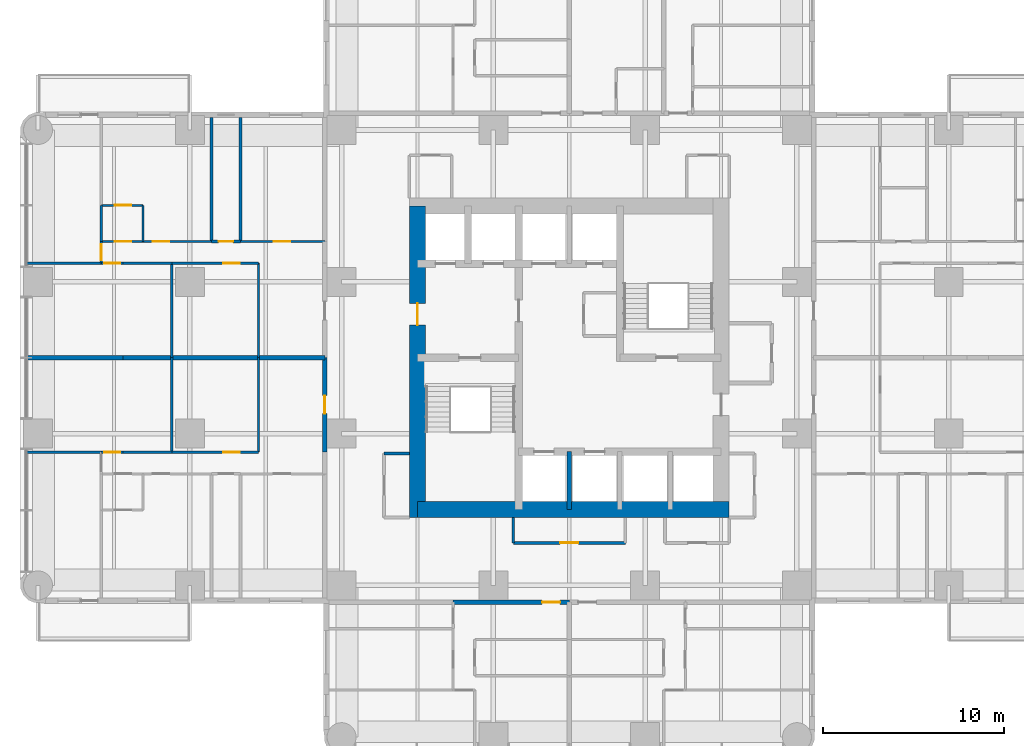
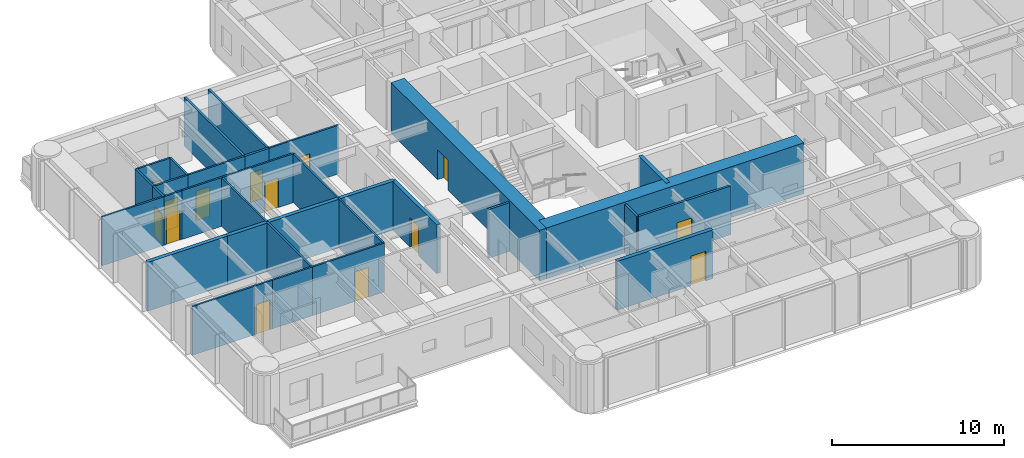
# One storey, part 7 of 15: 34 walls, 14 doors, 14 openings.
"""IFC4 building model written with IfcOpenShell, lengths in metres."""

from ifc_helpers import new_model, si_unit, direction, frame, frame_2d, origin, place, context, subcontext, project, spatial, rectangle, extrude, material, layer, layer_set, type_object, element, fill, save


model = new_model("IFC4")

# Units and contexts
model_context = context("Model", 3, precision=1e-05, world=origin(), true_north=direction((0.0, 1.0)))
body_context = subcontext(model_context, "Body", "Model", "MODEL_VIEW")
ifc_project = project(units=[si_unit("LENGTHUNIT", "METRE"), si_unit("AREAUNIT", "SQUARE_METRE"), si_unit("VOLUMEUNIT", "CUBIC_METRE"), si_unit("PLANEANGLEUNIT", "RADIAN"), si_unit("MASSUNIT", "GRAM", prefix="KILO")], contexts=[model_context])

# Site, building, storey
site_placement = place(None, origin())
site = spatial("IfcSite", under=ifc_project, at=site_placement, CompositionType="ELEMENT")
building_placement = place(site_placement, origin())
building = spatial("IfcBuilding", under=site, at=building_placement, Name="Torre Alcanfor", CompositionType="ELEMENT")
storey_placement = place(building_placement, frame((0.0, 0.0, 148.5)))
storey = spatial("IfcBuildingStorey", under=building, at=storey_placement, Name="L38", CompositionType="ELEMENT", Elevation=148.5)

# Wall, opening, door
ifc_material_1 = material(Name="Concrete block masonry, hollow blocks NMX-C-404 9 MPa", Category="masonry")
ifc_layer_1 = layer(ifc_material_1, 0.25)
ifc_layer_set_1 = layer_set([ifc_layer_1], Name="Apartment entrance wall 250 EI 60")
wall_type_1 = type_object("IfcWallType", Name="Apartment entrance wall 250 EI 60", PredefinedType="PARTITIONING", material=ifc_layer_set_1)
wall_1_placement = place(storey_placement, frame((29.39990234375, 15.875, 0.0), z_axis=(0.0, 0.0, 1.0), x_axis=(-1.0, 0.0, 0.0)))
wall_1 = element("IfcWall", 1, at=wall_1_placement, inside=storey, type_object=wall_type_1, Name="Partition L38-CORR / L38-S2-LIVING", PredefinedType="PARTITIONING", context=body_context, shape_type="SweptSolid", body=[
    extrude(rectangle(XDim=6.428955078125, YDim=0.25, at=frame_2d((3.21435546875, 0.0))), origin(), (0.0, 0.0, 1.0), 3.449951171875),
])
opening_1_placement = place(wall_1_placement, frame((0.5, 0.0, 0.0)))
opening_1 = element("IfcOpeningElement", 2, at=opening_1_placement, cuts=wall_1, Name="Opening D-A1", PredefinedType="OPENING", context=body_context, shape_type="SweptSolid", body=[
    extrude(rectangle(XDim=1.0, YDim=2.10009765625, at=frame_2d((0.5, 1.050048828125))), frame((0.0, 0.135009765625, 0.0), z_axis=(0.0, -1.0, 0.0), x_axis=(1.0, 0.0, 0.0)), (0.0, 0.0, 1.0), 0.27001953125),
])
ifc_material_2 = material(Name="Galvanised steel sheet ASTM A653", Category="steel")
door_type_1 = type_object("IfcDoorType", Name="Apartment entrance door FD60 1000x2100", OperationType="SINGLE_SWING_LEFT", PredefinedType="DOOR", material=ifc_material_2)
door_1_placement = place(opening_1_placement, origin())
door_1 = element("IfcDoor", 3, at=door_1_placement, inside=storey, type_object=door_type_1, Name="Apartment entrance L38-S2", OperationType="SINGLE_SWING_LEFT", OverallHeight=2.10009765625, OverallWidth=1.0, PredefinedType="DOOR", context=body_context, shape_type="SweptSolid", body=[
    extrude(rectangle(XDim=1.0, YDim=2.10009765625, at=frame_2d((0.5, 1.050048828125))), frame((0.0, 0.02490234375, 0.0), z_axis=(0.0, -1.0, 0.0), x_axis=(1.0, 0.0, 0.0)), (0.0, 0.0, 1.0), 0.050048828125),
])
fill(opening_1, door_1)

wall_2_placement = place(storey_placement, frame((15.875, 24.1708984375, 0.0), z_axis=(0.0, 0.0, 1.0), x_axis=(0.0, 1.0, 0.0)))
wall_2 = element("IfcWall", 4, at=wall_2_placement, inside=storey, type_object=wall_type_1, Name="Partition L38-CORR / L38-W1-ZAG", PredefinedType="PARTITIONING", context=body_context, shape_type="SweptSolid", body=[
    extrude(rectangle(XDim=5.22900390625, YDim=0.25, at=frame_2d((2.614501953125, 0.0))), origin(), (0.0, 0.0, 1.0), 3.449951171875),
])
opening_2_placement = place(wall_2_placement, frame((2.12890625, 0.0, 0.0)))
opening_2 = element("IfcOpeningElement", 5, at=opening_2_placement, cuts=wall_2, Name="Opening D-A1", PredefinedType="OPENING", context=body_context, shape_type="SweptSolid", body=[
    extrude(rectangle(XDim=1.0, YDim=2.10009765625, at=frame_2d((0.5, 1.050048828125))), frame((0.0, 0.135009765625, 0.0), z_axis=(0.0, -1.0, 0.0), x_axis=(1.0, 0.0, 0.0)), (0.0, 0.0, 1.0), 0.27001953125),
])
door_2_placement = place(opening_2_placement, origin())
door_2 = element("IfcDoor", 6, at=door_2_placement, inside=storey, type_object=door_type_1, Name="Apartment entrance L38-W1", OperationType="SINGLE_SWING_RIGHT", OverallHeight=2.10009765625, OverallWidth=1.0, PredefinedType="DOOR", context=body_context, shape_type="SweptSolid", body=[
    extrude(rectangle(XDim=1.0, YDim=2.10009765625, at=frame_2d((0.5, 1.050048828125))), frame((0.0, 0.02490234375, 0.0), z_axis=(0.0, -1.0, 0.0), x_axis=(1.0, 0.0, 0.0)), (0.0, 0.0, 1.0), 0.050048828125),
])
fill(opening_2, door_2)

# Walls
ifc_material_3 = material(Name="Gypsum board on steel studs", Category="steel")
ifc_layer_2 = layer(ifc_material_3, 0.1201171875)
ifc_layer_set_2 = layer_set([ifc_layer_2], Name="Apartment partition 120")
wall_type_2 = type_object("IfcWallType", Name="Apartment partition 120", PredefinedType="PARTITIONING", material=ifc_layer_set_2)
for number, where, z_axis, x_axis, name in (
    (7, (12.199951171875, 29.39990234375, 0.0), (0.0, 0.0, 1.0), (0.0, -1.0, 0.0), "Partition L38-W1-ZAG / L38-W1-FAMILY"),
    (8, (7.39990234375, 29.39990234375, 0.0), (0.0, 0.0, 1.0), (0.0, -1.0, 0.0), "Partition L38-W1-FAMILY / L38-W1-KITCHEN"),
):
    element("IfcWall", number, at=place(storey_placement, frame(where, z_axis=z_axis, x_axis=x_axis)), inside=storey, type_object=wall_type_2, Name=name, PredefinedType="PARTITIONING", context=body_context, shape_type="SweptSolid", body=[
        extrude(rectangle(XDim=5.22900390625, YDim=0.1201171875, at=frame_2d((2.614501953125, 0.0))), origin(), (0.0, 0.0, 1.0), 3.449951171875),
    ])

# Wall, opening, door
wall_3_placement = place(storey_placement, frame((7.39990234375, 24.1708984375, 0.0), z_axis=(0.0, 0.0, 1.0), x_axis=(1.0, 0.0, 0.0)))
wall_3 = element("IfcWall", 9, at=wall_3_placement, inside=storey, type_object=wall_type_2, Name="Partition L38-W1-FAMILY / L38-W1-HALL", PredefinedType="PARTITIONING", context=body_context, shape_type="SweptSolid", body=[
    extrude(rectangle(XDim=4.800048828125, YDim=0.1201171875, at=frame_2d((2.39990234375, 0.0))), origin(), (0.0, 0.0, 1.0), 3.449951171875),
])
opening_3_placement = place(wall_3_placement, frame((2.85009765625, 0.0, 0.0)))
opening_3 = element("IfcOpeningElement", 10, at=opening_3_placement, cuts=wall_3, Name="Opening D-R1", PredefinedType="OPENING", context=body_context, shape_type="SweptSolid", body=[
    extrude(rectangle(XDim=0.89990234375, YDim=2.10009765625, at=frame_2d((0.449951171875, 1.050048828125))), frame((0.0, 0.070068359375, 0.0), z_axis=(0.0, -1.0, 0.0), x_axis=(1.0, 0.0, 0.0)), (0.0, 0.0, 1.0), 0.14013671875),
])
ifc_material_4 = material(Name="Timber", Category="wood")
door_type_2 = type_object("IfcDoorType", Name="Internal door 900x2100", OperationType="SINGLE_SWING_LEFT", PredefinedType="DOOR", material=ifc_material_4)
door_3_placement = place(opening_3_placement, origin())
door_3 = element("IfcDoor", 11, at=door_3_placement, inside=storey, type_object=door_type_2, Name="Door L38-W1 family", OperationType="SINGLE_SWING_RIGHT", OverallHeight=2.10009765625, OverallWidth=0.89990234375, PredefinedType="DOOR", context=body_context, shape_type="SweptSolid", body=[
    extrude(rectangle(XDim=0.89990234375, YDim=2.10009765625, at=frame_2d((0.449951171875, 1.050048828125))), frame((0.0, 0.02490234375, 0.0), z_axis=(0.0, -1.0, 0.0), x_axis=(1.0, 0.0, 0.0)), (0.0, 0.0, 1.0), 0.050048828125),
])
fill(opening_3, door_3)

# Wall
wall_4_placement = place(storey_placement, frame((4.699951171875, 24.1708984375, 0.0), z_axis=(0.0, 0.0, 1.0), x_axis=(1.0, 0.0, 0.0)))
element("IfcWall", 12, at=wall_4_placement, inside=storey, type_object=wall_type_2, Name="Partition L38-W1-KITCHEN / L38-W1-HALL", PredefinedType="PARTITIONING", context=body_context, shape_type="SweptSolid", body=[
    extrude(rectangle(XDim=2.699951171875, YDim=0.1201171875, at=frame_2d((1.35009765625, 0.0))), origin(), (0.0, 0.0, 1.0), 3.449951171875),
])

# Wall, opening, door
wall_5_placement = place(storey_placement, frame((3.5, 24.1708984375, 0.0), z_axis=(0.0, 0.0, 1.0), x_axis=(1.0, 0.0, 0.0)))
wall_5 = element("IfcWall", 13, at=wall_5_placement, inside=storey, type_object=wall_type_2, Name="Partition L38-W1-LIVING / L38-W1-HALL", PredefinedType="PARTITIONING", context=body_context, shape_type="SweptSolid", body=[
    extrude(rectangle(XDim=1.199951171875, YDim=0.1201171875, at=frame_2d((0.60009765625, 0.0))), origin(), (0.0, 0.0, 1.0), 3.449951171875),
])
opening_4_placement = place(wall_5_placement, frame((0.14990234375, 0.0, 0.0)))
opening_4 = element("IfcOpeningElement", 14, at=opening_4_placement, cuts=wall_5, Name="Opening D-R1", PredefinedType="OPENING", context=body_context, shape_type="SweptSolid", body=[
    extrude(rectangle(XDim=0.89990234375, YDim=2.10009765625, at=frame_2d((0.449951171875, 1.050048828125))), frame((0.0, 0.070068359375, 0.0), z_axis=(0.0, -1.0, 0.0), x_axis=(1.0, 0.0, 0.0)), (0.0, 0.0, 1.0), 0.14013671875),
])
door_4_placement = place(opening_4_placement, origin())
door_4 = element("IfcDoor", 15, at=door_4_placement, inside=storey, type_object=door_type_2, Name="Door L38-W1 living", OperationType="SINGLE_SWING_RIGHT", OverallHeight=2.10009765625, OverallWidth=0.89990234375, PredefinedType="DOOR", context=body_context, shape_type="SweptSolid", body=[
    extrude(rectangle(XDim=0.89990234375, YDim=2.10009765625, at=frame_2d((0.449951171875, 1.050048828125))), frame((0.0, 0.02490234375, 0.0), z_axis=(0.0, -1.0, 0.0), x_axis=(1.0, 0.0, 0.0)), (0.0, 0.0, 1.0), 0.050048828125),
])
fill(opening_4, door_4)

# Walls
wall_6_placement = place(storey_placement, frame((-0.64990234375, 24.1708984375, 0.0), z_axis=(0.0, 0.0, 1.0), x_axis=(1.0, 0.0, 0.0)))
element("IfcWall", 16, at=wall_6_placement, inside=storey, type_object=wall_type_2, Name="Partition L38-W1-LIVING / L38-W1-WGARD", PredefinedType="PARTITIONING", context=body_context, shape_type="SweptSolid", body=[
    extrude(rectangle(XDim=4.14990234375, YDim=0.1201171875, at=frame_2d((2.074951171875, 0.0))), origin(), (0.0, 0.0, 1.0), 3.449951171875),
])
for number, where, z_axis, x_axis, name in (
    (17, (12.199951171875, 29.39990234375, 0.0), (0.0, 0.0, 1.0), (0.0, 1.0, 0.0), "Partition L38-W2-ZAG / L38-W2-FAMILY"),
    (18, (7.39990234375, 29.39990234375, 0.0), (0.0, 0.0, 1.0), (0.0, 1.0, 0.0), "Partition L38-W2-FAMILY / L38-W2-KITCHEN"),
):
    element("IfcWall", number, at=place(storey_placement, frame(where, z_axis=z_axis, x_axis=x_axis)), inside=storey, type_object=wall_type_2, Name=name, PredefinedType="PARTITIONING", context=body_context, shape_type="SweptSolid", body=[
        extrude(rectangle(XDim=5.22900390625, YDim=0.1201171875, at=frame_2d((2.614501953125, 0.0))), origin(), (0.0, 0.0, 1.0), 3.449951171875),
    ])

# Wall, opening, door
wall_7_placement = place(storey_placement, frame((7.39990234375, 34.62890625, 0.0), z_axis=(0.0, 0.0, 1.0), x_axis=(1.0, 0.0, 0.0)))
wall_7 = element("IfcWall", 19, at=wall_7_placement, inside=storey, type_object=wall_type_2, Name="Partition L38-W2-FAMILY / L38-W2-HALL", PredefinedType="PARTITIONING", context=body_context, shape_type="SweptSolid", body=[
    extrude(rectangle(XDim=4.800048828125, YDim=0.1201171875, at=frame_2d((2.39990234375, 0.0))), origin(), (0.0, 0.0, 1.0), 3.449951171875),
])
opening_5_placement = place(wall_7_placement, frame((2.85009765625, 0.0, 0.0)))
opening_5 = element("IfcOpeningElement", 20, at=opening_5_placement, cuts=wall_7, Name="Opening D-R1", PredefinedType="OPENING", context=body_context, shape_type="SweptSolid", body=[
    extrude(rectangle(XDim=0.89990234375, YDim=2.10009765625, at=frame_2d((0.449951171875, 1.050048828125))), frame((0.0, 0.070068359375, 0.0), z_axis=(0.0, -1.0, 0.0), x_axis=(1.0, 0.0, 0.0)), (0.0, 0.0, 1.0), 0.14013671875),
])
door_5_placement = place(opening_5_placement, frame((0.89990234375, 0.0, 0.0), z_axis=(0.0, 0.0, 1.0), x_axis=(-1.0, 0.0, 0.0)))
door_5 = element("IfcDoor", 21, at=door_5_placement, inside=storey, type_object=door_type_2, Name="Door L38-W2 family", OperationType="SINGLE_SWING_LEFT", OverallHeight=2.10009765625, OverallWidth=0.89990234375, PredefinedType="DOOR", context=body_context, shape_type="SweptSolid", body=[
    extrude(rectangle(XDim=0.89990234375, YDim=2.10009765625, at=frame_2d((0.449951171875, 1.050048828125))), frame((0.0, 0.025146484375, 0.0), z_axis=(0.0, -1.0, 0.0), x_axis=(1.0, 0.0, 0.0)), (0.0, 0.0, 1.0), 0.050048828125),
])
fill(opening_5, door_5)

# Wall
wall_8_placement = place(storey_placement, frame((4.699951171875, 34.62890625, 0.0), z_axis=(0.0, 0.0, 1.0), x_axis=(1.0, 0.0, 0.0)))
element("IfcWall", 22, at=wall_8_placement, inside=storey, type_object=wall_type_2, Name="Partition L38-W2-KITCHEN / L38-W2-HALL", PredefinedType="PARTITIONING", context=body_context, shape_type="SweptSolid", body=[
    extrude(rectangle(XDim=2.699951171875, YDim=0.1201171875, at=frame_2d((1.35009765625, 0.0))), origin(), (0.0, 0.0, 1.0), 3.449951171875),
])

# Wall, opening, door
wall_9_placement = place(storey_placement, frame((3.5, 34.62890625, 0.0), z_axis=(0.0, 0.0, 1.0), x_axis=(1.0, 0.0, 0.0)))
wall_9 = element("IfcWall", 23, at=wall_9_placement, inside=storey, type_object=wall_type_2, Name="Partition L38-W2-LIVING / L38-W2-HALL", PredefinedType="PARTITIONING", context=body_context, shape_type="SweptSolid", body=[
    extrude(rectangle(XDim=1.199951171875, YDim=0.1201171875, at=frame_2d((0.60009765625, 0.0))), origin(), (0.0, 0.0, 1.0), 3.449951171875),
])
opening_6_placement = place(wall_9_placement, frame((0.14990234375, 0.0, 0.0)))
opening_6 = element("IfcOpeningElement", 24, at=opening_6_placement, cuts=wall_9, Name="Opening D-R1", PredefinedType="OPENING", context=body_context, shape_type="SweptSolid", body=[
    extrude(rectangle(XDim=0.89990234375, YDim=2.10009765625, at=frame_2d((0.449951171875, 1.050048828125))), frame((0.0, 0.070068359375, 0.0), z_axis=(0.0, -1.0, 0.0), x_axis=(1.0, 0.0, 0.0)), (0.0, 0.0, 1.0), 0.14013671875),
])
door_6_placement = place(opening_6_placement, frame((0.89990234375, 0.0, 0.0), z_axis=(0.0, 0.0, 1.0), x_axis=(-1.0, 0.0, 0.0)))
door_6 = element("IfcDoor", 25, at=door_6_placement, inside=storey, type_object=door_type_2, Name="Door L38-W2 living", OperationType="SINGLE_SWING_LEFT", OverallHeight=2.10009765625, OverallWidth=0.89990234375, PredefinedType="DOOR", context=body_context, shape_type="SweptSolid", body=[
    extrude(rectangle(XDim=0.89990234375, YDim=2.10009765625, at=frame_2d((0.449951171875, 1.050048828125))), frame((0.0, 0.025146484375, 0.0), z_axis=(0.0, -1.0, 0.0), x_axis=(1.0, 0.0, 0.0)), (0.0, 0.0, 1.0), 0.050048828125),
])
fill(opening_6, door_6)

# Wall
wall_10_placement = place(storey_placement, frame((-0.64990234375, 34.62890625, 0.0), z_axis=(0.0, 0.0, 1.0), x_axis=(1.0, 0.0, 0.0)))
element("IfcWall", 26, at=wall_10_placement, inside=storey, type_object=wall_type_2, Name="Partition L38-W2-LIVING / L38-W2-WGARD", PredefinedType="PARTITIONING", context=body_context, shape_type="SweptSolid", body=[
    extrude(rectangle(XDim=4.14990234375, YDim=0.1201171875, at=frame_2d((2.074951171875, 0.0))), origin(), (0.0, 0.0, 1.0), 3.449951171875),
])

# Wall, opening, door
wall_11_placement = place(storey_placement, frame((11.199951171875, 35.8291015625, 0.0), z_axis=(0.0, 0.0, 1.0), x_axis=(1.0, 0.0, 0.0)))
wall_11 = element("IfcWall", 27, at=wall_11_placement, inside=storey, type_object=wall_type_2, Name="Partition L38-W2-HALL / L38-W2-BED2", PredefinedType="PARTITIONING", context=body_context, shape_type="SweptSolid", body=[
    extrude(rectangle(XDim=4.675048828125, YDim=0.1201171875, at=frame_2d((2.33740234375, 0.0))), origin(), (0.0, 0.0, 1.0), 3.449951171875),
])
opening_7_placement = place(wall_11_placement, frame((1.85009765625, 0.0, 0.0)))
opening_7 = element("IfcOpeningElement", 28, at=opening_7_placement, cuts=wall_11, Name="Opening D-R1", PredefinedType="OPENING", context=body_context, shape_type="SweptSolid", body=[
    extrude(rectangle(XDim=0.89990234375, YDim=2.10009765625, at=frame_2d((0.449951171875, 1.050048828125))), frame((0.0, 0.070068359375, 0.0), z_axis=(0.0, -1.0, 0.0), x_axis=(1.0, 0.0, 0.0)), (0.0, 0.0, 1.0), 0.14013671875),
])
door_7_placement = place(opening_7_placement, origin())
door_7 = element("IfcDoor", 29, at=door_7_placement, inside=storey, type_object=door_type_2, Name="Door L38-W2 bed2", OperationType="SINGLE_SWING_LEFT", OverallHeight=2.10009765625, OverallWidth=0.89990234375, PredefinedType="DOOR", context=body_context, shape_type="SweptSolid", body=[
    extrude(rectangle(XDim=0.89990234375, YDim=2.10009765625, at=frame_2d((0.449951171875, 1.050048828125))), frame((0.0, 0.02490234375, 0.0), z_axis=(0.0, -1.0, 0.0), x_axis=(1.0, 0.0, 0.0)), (0.0, 0.0, 1.0), 0.050048828125),
])
fill(opening_7, door_7)

wall_12_placement = place(storey_placement, frame((5.800048828125, 35.8291015625, 0.0), z_axis=(0.0, 0.0, 1.0), x_axis=(1.0, 0.0, 0.0)))
wall_12 = element("IfcWall", 30, at=wall_12_placement, inside=storey, type_object=wall_type_2, Name="Partition L38-W2-HALL / L38-W2-MASTER", PredefinedType="PARTITIONING", context=body_context, shape_type="SweptSolid", body=[
    extrude(rectangle(XDim=3.800048828125, YDim=0.1201171875, at=frame_2d((1.89990234375, 0.0))), origin(), (0.0, 0.0, 1.0), 3.449951171875),
])
opening_8_placement = place(wall_12_placement, frame((0.550048828125, 0.0, 0.0)))
opening_8 = element("IfcOpeningElement", 31, at=opening_8_placement, cuts=wall_12, Name="Opening D-R1", PredefinedType="OPENING", context=body_context, shape_type="SweptSolid", body=[
    extrude(rectangle(XDim=0.89990234375, YDim=2.10009765625, at=frame_2d((0.449951171875, 1.050048828125))), frame((0.0, 0.070068359375, 0.0), z_axis=(0.0, -1.0, 0.0), x_axis=(1.0, 0.0, 0.0)), (0.0, 0.0, 1.0), 0.14013671875),
])
door_8_placement = place(opening_8_placement, origin())
door_8 = element("IfcDoor", 32, at=door_8_placement, inside=storey, type_object=door_type_2, Name="Door L38-W2 master", OperationType="SINGLE_SWING_LEFT", OverallHeight=2.10009765625, OverallWidth=0.89990234375, PredefinedType="DOOR", context=body_context, shape_type="SweptSolid", body=[
    extrude(rectangle(XDim=0.89990234375, YDim=2.10009765625, at=frame_2d((0.449951171875, 1.050048828125))), frame((0.0, 0.02490234375, 0.0), z_axis=(0.0, -1.0, 0.0), x_axis=(1.0, 0.0, 0.0)), (0.0, 0.0, 1.0), 0.050048828125),
])
fill(opening_8, door_8)

wall_13_placement = place(storey_placement, frame((3.5, 35.8291015625, 0.0), z_axis=(0.0, 0.0, 1.0), x_axis=(1.0, 0.0, 0.0)))
wall_13 = element("IfcWall", 33, at=wall_13_placement, inside=storey, type_object=wall_type_2, Name="Partition L38-W2-HALL / L38-W2-VEST", PredefinedType="PARTITIONING", context=body_context, shape_type="SweptSolid", body=[
    extrude(rectangle(XDim=2.300048828125, YDim=0.1201171875, at=frame_2d((1.14990234375, 0.0))), origin(), (0.0, 0.0, 1.0), 3.449951171875),
])
opening_9_placement = place(wall_13_placement, frame((0.75, 0.0, 0.0)))
opening_9 = element("IfcOpeningElement", 34, at=opening_9_placement, cuts=wall_13, Name="Opening D-R1", PredefinedType="OPENING", context=body_context, shape_type="SweptSolid", body=[
    extrude(rectangle(XDim=0.89990234375, YDim=2.10009765625, at=frame_2d((0.449951171875, 1.050048828125))), frame((0.0, 0.070068359375, 0.0), z_axis=(0.0, -1.0, 0.0), x_axis=(1.0, 0.0, 0.0)), (0.0, 0.0, 1.0), 0.14013671875),
])
door_9_placement = place(opening_9_placement, origin())
door_9 = element("IfcDoor", 35, at=door_9_placement, inside=storey, type_object=door_type_2, Name="Door L38-W2 vest", OperationType="SINGLE_SWING_RIGHT", OverallHeight=2.10009765625, OverallWidth=0.89990234375, PredefinedType="DOOR", context=body_context, shape_type="SweptSolid", body=[
    extrude(rectangle(XDim=0.89990234375, YDim=2.10009765625, at=frame_2d((0.449951171875, 1.050048828125))), frame((0.0, 0.02490234375, 0.0), z_axis=(0.0, -1.0, 0.0), x_axis=(1.0, 0.0, 0.0)), (0.0, 0.0, 1.0), 0.050048828125),
])
fill(opening_9, door_9)

wall_14_placement = place(storey_placement, frame((3.5, 34.62890625, 0.0), z_axis=(0.0, 0.0, 1.0), x_axis=(0.0, 1.0, 0.0)))
wall_14 = element("IfcWall", 36, at=wall_14_placement, inside=storey, type_object=wall_type_2, Name="Partition L38-W2-HALL / L38-W2-WGARD", PredefinedType="PARTITIONING", context=body_context, shape_type="SweptSolid", body=[
    extrude(rectangle(XDim=1.2001953125, YDim=0.1201171875, at=frame_2d((0.60009765625, 0.0))), origin(), (0.0, 0.0, 1.0), 3.449951171875),
])
opening_10_placement = place(wall_14_placement, frame((0.15087890625, 0.0, 0.0)))
opening_10 = element("IfcOpeningElement", 37, at=opening_10_placement, cuts=wall_14, Name="Opening D-R1", PredefinedType="OPENING", context=body_context, shape_type="SweptSolid", body=[
    extrude(rectangle(XDim=0.89990234375, YDim=2.10009765625, at=frame_2d((0.449951171875, 1.050048828125))), frame((0.0, 0.070068359375, 0.0), z_axis=(0.0, -1.0, 0.0), x_axis=(1.0, 0.0, 0.0)), (0.0, 0.0, 1.0), 0.14013671875),
])
door_10_placement = place(opening_10_placement, origin())
door_10 = element("IfcDoor", 38, at=door_10_placement, inside=storey, type_object=door_type_2, Name="Door L38-W2 wgard", OperationType="SINGLE_SWING_LEFT", OverallHeight=2.10009765625, OverallWidth=0.89990234375, PredefinedType="DOOR", context=body_context, shape_type="SweptSolid", body=[
    extrude(rectangle(XDim=0.89990234375, YDim=2.10009765625, at=frame_2d((0.449951171875, 1.050048828125))), frame((0.0, 0.02490234375, 0.0), z_axis=(0.0, -1.0, 0.0), x_axis=(1.0, 0.0, 0.0)), (0.0, 0.0, 1.0), 0.050048828125),
])
fill(opening_10, door_10)

# Wall
wall_15_placement = place(storey_placement, frame((5.800048828125, 35.8291015625, 0.0), z_axis=(0.0, 0.0, 1.0), x_axis=(0.0, 1.0, 0.0)))
element("IfcWall", 39, at=wall_15_placement, inside=storey, type_object=wall_type_2, Name="Partition L38-W2-MASTER / L38-W2-VEST", PredefinedType="PARTITIONING", context=body_context, shape_type="SweptSolid", body=[
    extrude(rectangle(XDim=2.0, YDim=0.1201171875, at=frame_2d((1.0, 0.0))), origin(), (0.0, 0.0, 1.0), 3.449951171875),
])

# Wall, opening, door
wall_16_placement = place(storey_placement, frame((5.800048828125, 37.8291015625, 0.0), z_axis=(0.0, 0.0, 1.0), x_axis=(-1.0, 0.0, 0.0)))
wall_16 = element("IfcWall", 40, at=wall_16_placement, inside=storey, type_object=wall_type_2, Name="Partition L38-W2-MASTER / L38-W2-VEST", PredefinedType="PARTITIONING", context=body_context, shape_type="SweptSolid", body=[
    extrude(rectangle(XDim=2.300048828125, YDim=0.1201171875, at=frame_2d((1.14990234375, 0.0))), origin(), (0.0, 0.0, 1.0), 3.449951171875),
])
opening_11_placement = place(wall_16_placement, frame((0.64990234375, 0.0, 0.0)))
opening_11 = element("IfcOpeningElement", 41, at=opening_11_placement, cuts=wall_16, Name="Opening D-R1", PredefinedType="OPENING", context=body_context, shape_type="SweptSolid", body=[
    extrude(rectangle(XDim=0.89990234375, YDim=2.10009765625, at=frame_2d((0.449951171875, 1.050048828125))), frame((0.0, 0.070068359375, 0.0), z_axis=(0.0, -1.0, 0.0), x_axis=(1.0, 0.0, 0.0)), (0.0, 0.0, 1.0), 0.14013671875),
])
door_11_placement = place(opening_11_placement, origin())
door_11 = element("IfcDoor", 42, at=door_11_placement, inside=storey, type_object=door_type_2, Name="Door L38-W2 master", OperationType="SINGLE_SWING_LEFT", OverallHeight=2.10009765625, OverallWidth=0.89990234375, PredefinedType="DOOR", context=body_context, shape_type="SweptSolid", body=[
    extrude(rectangle(XDim=0.89990234375, YDim=2.10009765625, at=frame_2d((0.449951171875, 1.050048828125))), frame((0.0, 0.02490234375, 0.0), z_axis=(0.0, -1.0, 0.0), x_axis=(1.0, 0.0, 0.0)), (0.0, 0.0, 1.0), 0.050048828125),
])
fill(opening_11, door_11)

# Walls
wall_17_placement = place(storey_placement, frame((3.5, 35.8291015625, 0.0), z_axis=(0.0, 0.0, 1.0), x_axis=(0.0, 1.0, 0.0)))
element("IfcWall", 43, at=wall_17_placement, inside=storey, type_object=wall_type_2, Name="Partition L38-W2-VEST / L38-W2-WGARD", PredefinedType="PARTITIONING", context=body_context, shape_type="SweptSolid", body=[
    extrude(rectangle(XDim=2.0, YDim=0.1201171875, at=frame_2d((1.0, 0.0))), origin(), (0.0, 0.0, 1.0), 3.449951171875),
])
ifc_material_5 = material(Name="Concrete f'c 70 MPa", Category="concrete")
ifc_layer_3 = layer(ifc_material_5, 0.25)
ifc_layer_set_3 = layer_set([ifc_layer_3], Name="Core shaft wall 250 f'c70")
wall_type_3 = type_object("IfcWallType", Name="Core shaft wall 250 f'c70", PredefinedType="SHEAR", material=ifc_layer_set_3)
wall_18_placement = place(storey_placement, frame((29.39990234375, 21.0, 0.0), z_axis=(0.0, 0.0, 1.0), x_axis=(0.0, 1.0, 0.0)))
element("IfcWall", 44, at=wall_18_placement, inside=storey, type_object=wall_type_3, Name="Core wall X294S L38", PredefinedType="SHEAR", context=body_context, shape_type="SweptSolid", body=[
    extrude(rectangle(XDim=3.199951171875, YDim=0.25, at=frame_2d((1.60009765625, 0.0))), origin(), (0.0, 0.0, 1.0), 3.60009765625),
])
ifc_material_6 = material(Name="Concrete f'c 70 MPa", Category="concrete")
ifc_layer_4 = layer(ifc_material_6, 0.89990234375)
ifc_layer_set_4 = layer_set([ifc_layer_4], Name="Core wall 900 f'c70")
wall_type_4 = type_object("IfcWallType", Name="Core wall 900 f'c70", PredefinedType="SHEAR", material=ifc_layer_set_4)
wall_19_placement = place(storey_placement, frame((21.0, 21.0, 0.0), z_axis=(0.0, 0.0, 1.0), x_axis=(1.0, 0.0, 0.0)))
element("IfcWall", 45, at=wall_19_placement, inside=storey, type_object=wall_type_4, Name="Core wall OUT-S L38", PredefinedType="SHEAR", context=body_context, shape_type="SweptSolid", body=[
    extrude(rectangle(XDim=17.25, YDim=0.89990234375, at=frame_2d((8.625, 0.0))), origin(), (0.0, 0.0, 1.0), 3.60009765625),
])

# Wall, opening, door
wall_20_placement = place(storey_placement, frame((21.0, 37.800048828125, 0.0), z_axis=(0.0, 0.0, 1.0), x_axis=(0.0, -1.0, 0.0)))
wall_20 = element("IfcWall", 46, at=wall_20_placement, inside=storey, type_object=wall_type_4, Name="Core wall OUT-W L38", PredefinedType="SHEAR", context=body_context, shape_type="SweptSolid", body=[
    extrude(rectangle(XDim=17.25, YDim=0.89990234375, at=frame_2d((8.625, 0.0))), origin(), (0.0, 0.0, 1.0), 3.60009765625),
])
opening_12_placement = place(wall_20_placement, frame((5.39990234375, 0.0, 0.0)))
opening_12 = element("IfcOpeningElement", 47, at=opening_12_placement, cuts=wall_20, Name="Opening D-L1", PredefinedType="OPENING", context=body_context, shape_type="SweptSolid", body=[
    extrude(rectangle(XDim=1.199951171875, YDim=2.10009765625, at=frame_2d((0.60009765625, 1.050048828125))), frame((0.0, 0.4599609375, 0.0), z_axis=(0.0, -1.0, 0.0), x_axis=(1.0, 0.0, 0.0)), (0.0, 0.0, 1.0), 0.919921875),
])
ifc_material_7 = material(Name="Galvanised steel sheet ASTM A653", Category="steel")
door_type_3 = type_object("IfcDoorType", Name="Lobby door FD120 1200x2100", OperationType="SINGLE_SWING_LEFT", PredefinedType="DOOR", material=ifc_material_7)
door_12_placement = place(opening_12_placement, origin())
door_12 = element("IfcDoor", 48, at=door_12_placement, inside=storey, type_object=door_type_3, Name="Firefighting lobby door L38", OperationType="SINGLE_SWING_LEFT", OverallHeight=2.10009765625, OverallWidth=1.199951171875, PredefinedType="DOOR", context=body_context, shape_type="SweptSolid", body=[
    extrude(rectangle(XDim=1.199951171875, YDim=2.10009765625, at=frame_2d((0.60009765625, 1.050048828125))), frame((0.0, 0.02490234375, 0.0), z_axis=(0.0, -1.0, 0.0), x_axis=(1.0, 0.0, 0.0)), (0.0, 0.0, 1.0), 0.050048828125),
])
fill(opening_12, door_12)

# Walls
ifc_material_8 = material(Name="Concrete block masonry, hollow blocks NMX-C-404 9 MPa", Category="masonry")
ifc_layer_5 = layer(ifc_material_8, 0.25)
ifc_layer_set_5 = layer_set([ifc_layer_5], Name="Party wall 250 EI 60")
wall_type_5 = type_object("IfcWallType", Name="Party wall 250 EI 60", PredefinedType="PARTITIONING", material=ifc_layer_set_5)
wall_21_placement = place(storey_placement, frame((15.875, 29.39990234375, 0.0), z_axis=(0.0, 0.0, 1.0), x_axis=(-1.0, 0.0, 0.0)))
element("IfcWall", 49, at=wall_21_placement, inside=storey, type_object=wall_type_5, Name="Partition L38-W1-ZAG / L38-W2-ZAG", PredefinedType="PARTITIONING", context=body_context, shape_type="SweptSolid", body=[
    extrude(rectangle(XDim=3.675048828125, YDim=0.25, at=frame_2d((1.83740234375, 0.0))), origin(), (0.0, 0.0, 1.0), 3.449951171875),
])
wall_22_placement = place(storey_placement, frame((12.199951171875, 29.39990234375, 0.0), z_axis=(0.0, 0.0, 1.0), x_axis=(-1.0, 0.0, 0.0)))
element("IfcWall", 50, at=wall_22_placement, inside=storey, type_object=wall_type_5, Name="Partition L38-W1-FAMILY / L38-W2-FAMILY", PredefinedType="PARTITIONING", context=body_context, shape_type="SweptSolid", body=[
    extrude(rectangle(XDim=4.800048828125, YDim=0.25, at=frame_2d((2.39990234375, 0.0))), origin(), (0.0, 0.0, 1.0), 3.449951171875),
])
wall_23_placement = place(storey_placement, frame((7.39990234375, 29.39990234375, 0.0), z_axis=(0.0, 0.0, 1.0), x_axis=(-1.0, 0.0, 0.0)))
element("IfcWall", 51, at=wall_23_placement, inside=storey, type_object=wall_type_5, Name="Partition L38-W1-KITCHEN / L38-W2-KITCHEN", PredefinedType="PARTITIONING", context=body_context, shape_type="SweptSolid", body=[
    extrude(rectangle(XDim=2.699951171875, YDim=0.25, at=frame_2d((1.35009765625, 0.0))), origin(), (0.0, 0.0, 1.0), 3.449951171875),
])
wall_24_placement = place(storey_placement, frame((4.699951171875, 29.39990234375, 0.0), z_axis=(0.0, 0.0, 1.0), x_axis=(-1.0, 0.0, 0.0)))
element("IfcWall", 52, at=wall_24_placement, inside=storey, type_object=wall_type_5, Name="Partition L38-W1-LIVING / L38-W2-LIVING", PredefinedType="PARTITIONING", context=body_context, shape_type="SweptSolid", body=[
    extrude(rectangle(XDim=5.349853515625, YDim=0.25, at=frame_2d((2.6748046875, 0.0))), origin(), (0.0, 0.0, 1.0), 3.449951171875),
])
ifc_material_9 = material(Name="Concrete block masonry, hollow blocks NMX-C-404 9 MPa", Category="masonry")
ifc_layer_6 = layer(ifc_material_9, 0.14990234375)
ifc_layer_set_6 = layer_set([ifc_layer_6], Name="Residents' room partition 150")
wall_type_6 = type_object("IfcWallType", Name="Residents' room partition 150", PredefinedType="PARTITIONING", material=ifc_layer_set_6)
wall_25_placement = place(storey_placement, frame((26.300048828125, 20.550048828125, 0.0), z_axis=(0.0, 0.0, 1.0), x_axis=(0.0, -1.0, 0.0)))
element("IfcWall", 53, at=wall_25_placement, inside=storey, type_object=wall_type_6, Name="Partition L38-CORR / L38-G05", PredefinedType="PARTITIONING", context=body_context, shape_type="SweptSolid", body=[
    extrude(rectangle(XDim=1.400146484375, YDim=0.14990234375, at=frame_2d((0.7001953125, 0.0))), origin(), (0.0, 0.0, 1.0), 3.449951171875),
])

# Wall, opening, door
wall_26_placement = place(storey_placement, frame((26.300048828125, 19.14990234375, 0.0), z_axis=(0.0, 0.0, 1.0), x_axis=(1.0, 0.0, 0.0)))
wall_26 = element("IfcWall", 54, at=wall_26_placement, inside=storey, type_object=wall_type_6, Name="Partition L38-CORR / L38-G05", PredefinedType="PARTITIONING", context=body_context, shape_type="SweptSolid", body=[
    extrude(rectangle(XDim=6.199951171875, YDim=0.14990234375, at=frame_2d((3.10009765625, 0.0))), origin(), (0.0, 0.0, 1.0), 3.449951171875),
])
opening_13_placement = place(wall_26_placement, frame((2.60009765625, 0.0, 0.0)))
opening_13 = element("IfcOpeningElement", 55, at=opening_13_placement, cuts=wall_26, Name="Opening D-M1", PredefinedType="OPENING", context=body_context, shape_type="SweptSolid", body=[
    extrude(rectangle(XDim=1.0, YDim=2.10009765625, at=frame_2d((0.5, 1.050048828125))), frame((0.0, 0.0849609375, 0.0), z_axis=(0.0, -1.0, 0.0), x_axis=(1.0, 0.0, 0.0)), (0.0, 0.0, 1.0), 0.169921875),
])
ifc_material_10 = material(Name="Timber", Category="wood")
door_type_4 = type_object("IfcDoorType", Name="Residents' room door 1000x2100", OperationType="SINGLE_SWING_LEFT", PredefinedType="DOOR", material=ifc_material_10)
door_13_placement = place(opening_13_placement, origin())
door_13 = element("IfcDoor", 56, at=door_13_placement, inside=storey, type_object=door_type_4, Name="Door L38-G05 residents' storage lockers", OperationType="SINGLE_SWING_LEFT", OverallHeight=2.10009765625, OverallWidth=1.0, PredefinedType="DOOR", context=body_context, shape_type="SweptSolid", body=[
    extrude(rectangle(XDim=1.0, YDim=2.10009765625, at=frame_2d((0.5, 1.050048828125))), frame((0.0, 0.02490234375, 0.0), z_axis=(0.0, -1.0, 0.0), x_axis=(1.0, 0.0, 0.0)), (0.0, 0.0, 1.0), 0.050048828125),
])
fill(opening_13, door_13)

# Wall
wall_27_placement = place(storey_placement, frame((20.550048828125, 24.10009765625, 0.0), z_axis=(0.0, 0.0, 1.0), x_axis=(-1.0, 0.0, 0.0)))
element("IfcWall", 57, at=wall_27_placement, inside=storey, type_object=wall_type_6, Name="Partition L38-CORR / L38-G07", PredefinedType="PARTITIONING", context=body_context, shape_type="SweptSolid", body=[
    extrude(rectangle(XDim=1.400146484375, YDim=0.14990234375, at=frame_2d((0.7001953125, 0.0))), origin(), (0.0, 0.0, 1.0), 3.449951171875),
])

# Wall, opening, door
ifc_material_11 = material(Name="Cement board on steel studs", Category="steel")
ifc_layer_7 = layer(ifc_material_11, 0.14990234375)
ifc_layer_set_7 = layer_set([ifc_layer_7], Name="Wet area partition 150")
wall_type_7 = type_object("IfcWallType", Name="Wet area partition 150", PredefinedType="PARTITIONING", material=ifc_layer_set_7)
wall_28_placement = place(storey_placement, frame((9.60009765625, 35.8291015625, 0.0), z_axis=(0.0, 0.0, 1.0), x_axis=(1.0, 0.0, 0.0)))
wall_28 = element("IfcWall", 58, at=wall_28_placement, inside=storey, type_object=wall_type_7, Name="Partition L38-W2-HALL / L38-W2-BATH1", PredefinedType="PARTITIONING", context=body_context, shape_type="SweptSolid", body=[
    extrude(rectangle(XDim=1.599853515625, YDim=0.14990234375, at=frame_2d((0.7998046875, 0.0))), origin(), (0.0, 0.0, 1.0), 3.449951171875),
])
opening_14_placement = place(wall_28_placement, frame((0.39990234375, 0.0, 0.0)))
opening_14 = element("IfcOpeningElement", 59, at=opening_14_placement, cuts=wall_28, Name="Opening D-R2", PredefinedType="OPENING", context=body_context, shape_type="SweptSolid", body=[
    extrude(rectangle(XDim=0.800048828125, YDim=2.10009765625, at=frame_2d((0.39990234375, 1.050048828125))), frame((0.0, 0.0849609375, 0.0), z_axis=(0.0, -1.0, 0.0), x_axis=(1.0, 0.0, 0.0)), (0.0, 0.0, 1.0), 0.169921875),
])
ifc_material_12 = material(Name="Timber", Category="wood")
door_type_5 = type_object("IfcDoorType", Name="Bathroom door 800x2100", OperationType="SINGLE_SWING_LEFT", PredefinedType="DOOR", material=ifc_material_12)
door_14_placement = place(opening_14_placement, origin())
door_14 = element("IfcDoor", 60, at=door_14_placement, inside=storey, type_object=door_type_5, Name="Door L38-W2 bath1", OperationType="SINGLE_SWING_LEFT", OverallHeight=2.10009765625, OverallWidth=0.800048828125, PredefinedType="DOOR", context=body_context, shape_type="SweptSolid", body=[
    extrude(rectangle(XDim=0.800048828125, YDim=2.10009765625, at=frame_2d((0.39990234375, 1.050048828125))), frame((0.0, 0.02490234375, 0.0), z_axis=(0.0, -1.0, 0.0), x_axis=(1.0, 0.0, 0.0)), (0.0, 0.0, 1.0), 0.050048828125),
])
fill(opening_14, door_14)

# Walls
for number, where, z_axis, x_axis, name in (
    (61, (11.199951171875, 35.8291015625, 0.0), (0.0, 0.0, 1.0), (0.0, 1.0, 0.0), "Partition L38-W2-BED2 / L38-W2-BATH1"),
    (62, (9.60009765625, 35.8291015625, 0.0), (0.0, 0.0, 1.0), (0.0, 1.0, 0.0), "Partition L38-W2-BATH1 / L38-W2-MASTER"),
):
    element("IfcWall", number, at=place(storey_placement, frame(where, z_axis=z_axis, x_axis=x_axis)), inside=storey, type_object=wall_type_7, Name=name, PredefinedType="PARTITIONING", context=body_context, shape_type="SweptSolid", body=[
        extrude(rectangle(XDim=6.870849609375, YDim=0.14990234375, at=frame_2d((3.435546875, 0.0))), origin(), (0.0, 0.0, 1.0), 3.449951171875),
    ])

save(model, "model.ifc")
